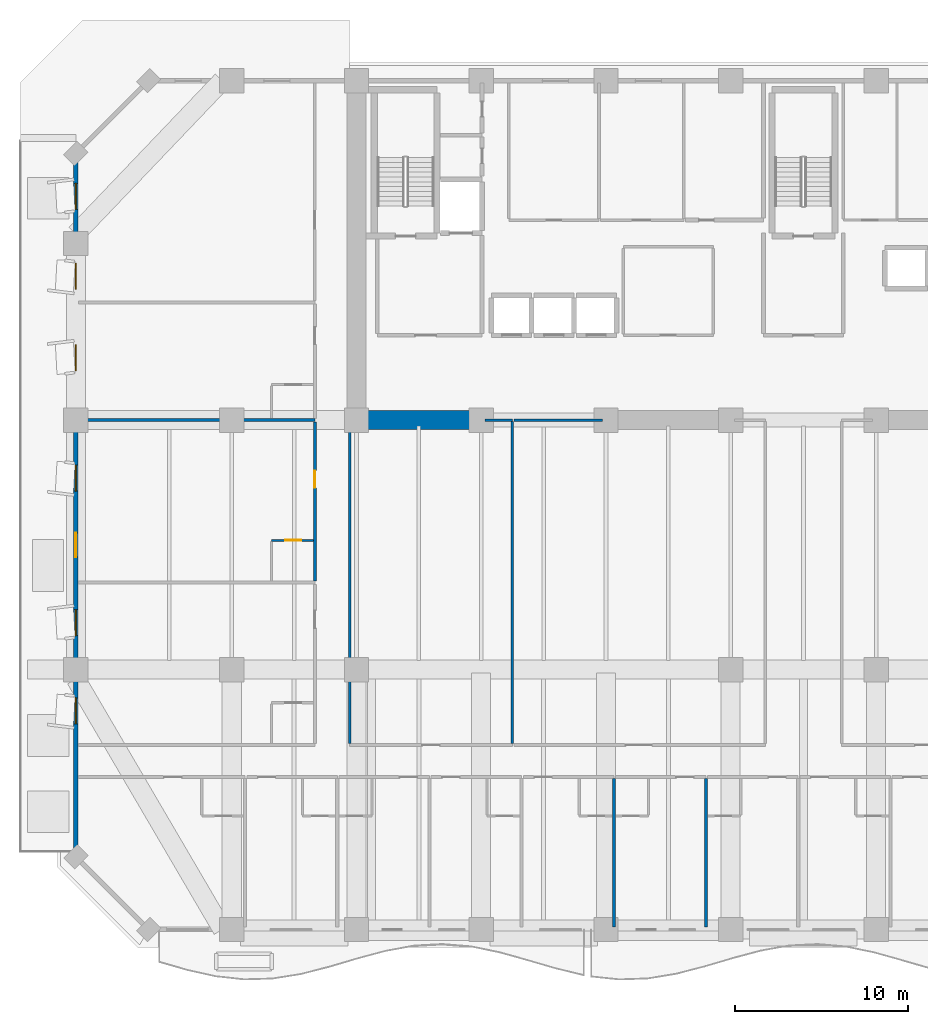
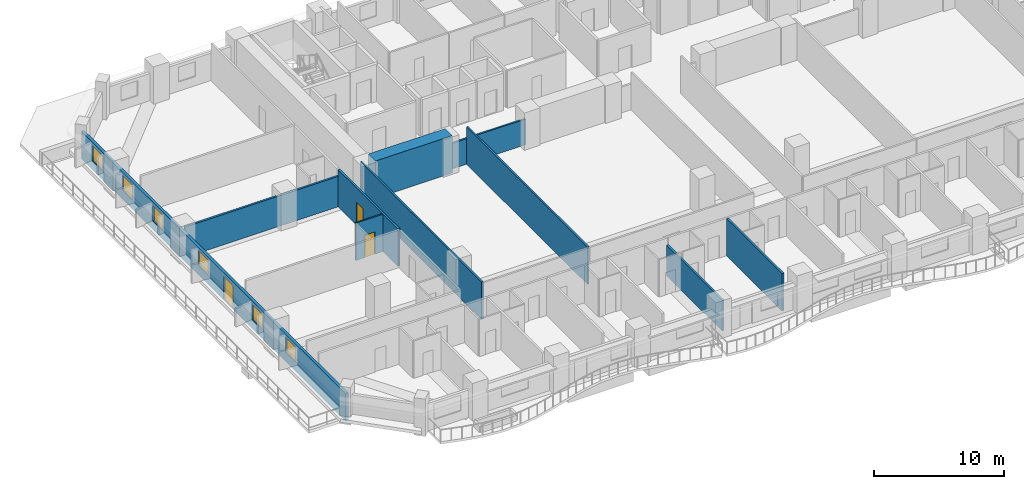
# One storey, part 6 of 17: 11 walls, 6 windows, 3 doors, 9 openings.
"""IFC4 building model written with IfcOpenShell, lengths in metres."""

from ifc_helpers import new_model, si_unit, direction, frame, frame_2d, origin, place, context, subcontext, project, spatial, rectangle, extrude, material, layer, layer_set, type_object, element, fill, save


model = new_model("IFC4")

# Units and contexts
model_context = context("Model", 3, precision=1e-05, world=origin(), true_north=direction((0.0, 1.0)))
body_context = subcontext(model_context, "Body", "Model", "MODEL_VIEW")
ifc_project = project(units=[si_unit("LENGTHUNIT", "METRE"), si_unit("AREAUNIT", "SQUARE_METRE"), si_unit("VOLUMEUNIT", "CUBIC_METRE"), si_unit("PLANEANGLEUNIT", "RADIAN"), si_unit("MASSUNIT", "GRAM", prefix="KILO")], contexts=[model_context])

# Site, building, storey
site_placement = place(None, origin())
site = spatial("IfcSite", under=ifc_project, at=site_placement, CompositionType="ELEMENT")
building_placement = place(site_placement, origin())
building = spatial("IfcBuilding", under=site, at=building_placement, Name="Kaelvorn Grand Hotel", CompositionType="ELEMENT")
storey_placement = place(building_placement, frame((0.0, 0.0, 31.39990234375)))
storey = spatial("IfcBuildingStorey", under=building, at=storey_placement, Name="L05", CompositionType="ELEMENT", Elevation=31.39990234375)

# Wall
ifc_material_1 = material(Name="Concrete C80/95", Category="concrete")
ifc_layer_1 = layer(ifc_material_1, 1.10009765625)
ifc_layer_set_1 = layer_set([ifc_layer_1], Name="Concrete C80/95")
wall_type_1 = type_object("IfcWallType", Name="WL-CORE-1100-C80", PredefinedType="SHEAR", material=ifc_layer_set_1)
wall_1_placement = place(storey_placement, frame((16.7548828125, 29.39990234375, 0.0), z_axis=(0.0, 0.0, 1.0), x_axis=(1.0, 0.0, 0.0)))
element("IfcWall", 1, at=wall_1_placement, inside=storey, type_object=wall_type_1, Name="L05 Rear-Core Coupled Shear Pier S1", PredefinedType="SHEAR", context=body_context, shape_type="SweptSolid", body=[
    extrude(rectangle(XDim=6.84521484375, YDim=1.10009765625, at=frame_2d((3.422607421875, 0.0))), origin(), (0.0, 0.0, 1.0), 3.510009765625),
])

# Wall, openings, door, windows
ifc_material_2 = material(Name="Concrete C40/50", Category="concrete")
ifc_layer_2 = layer(ifc_material_2, 0.260009765625)
ifc_layer_set_2 = layer_set([ifc_layer_2], Name="Concrete C40/50")
wall_type_2 = type_object("IfcWallType", Name="WL-EXT-260-C40", PredefinedType="SOLIDWALL", material=ifc_layer_set_2)
wall_2_placement = place(storey_placement, frame((0.0, 44.800048828125, 0.0), z_axis=(0.0, 0.0, 1.0), x_axis=(0.0, -1.0, 0.0)))
wall_2 = element("IfcWall", 2, at=wall_2_placement, inside=storey, type_object=wall_type_2, Name="L05 Exterior Architectural Concrete Wall 07", PredefinedType="SOLIDWALL", context=body_context, shape_type="SweptSolid", body=[
    extrude(rectangle(XDim=40.60009765625, YDim=0.260009765625, at=frame_2d((20.300048828125, 0.0))), origin(), (0.0, 0.0, 1.0), 2.56005859375),
])
opening_1_placement = place(wall_2_placement, frame((21.89990234375, 0.0, 0.0)))
opening_1 = element("IfcOpeningElement", 3, at=opening_1_placement, cuts=wall_2, Name="Opening DE3", PredefinedType="OPENING", context=body_context, shape_type="SweptSolid", body=[
    extrude(rectangle(XDim=1.39990234375, YDim=2.199951171875, at=frame_2d((0.699951171875, 1.10009765625))), frame((0.0, 0.14013671875, 0.0), z_axis=(0.0, -1.0, 0.0), x_axis=(1.0, 0.0, 0.0)), (0.0, 0.0, 1.0), 0.280029296875),
])
opening_2_placement = place(wall_2_placement, frame((31.425048828125, 0.0, 0.85009765625)))
opening_2 = element("IfcOpeningElement", 4, at=opening_2_placement, cuts=wall_2, Name="Opening W10", PredefinedType="OPENING", context=body_context, shape_type="SweptSolid", body=[
    extrude(rectangle(XDim=1.5, YDim=1.39990234375, at=frame_2d((0.75, 0.699951171875))), frame((0.0, 0.14013671875, 0.0), z_axis=(0.0, -1.0, 0.0), x_axis=(1.0, 0.0, 0.0)), (0.0, 0.0, 1.0), 0.280029296875),
])
opening_3_placement = place(wall_2_placement, frame((26.340087890625, 0.0, 0.85009765625)))
opening_3 = element("IfcOpeningElement", 5, at=opening_3_placement, cuts=wall_2, Name="Opening W10", PredefinedType="OPENING", context=body_context, shape_type="SweptSolid", body=[
    extrude(rectangle(XDim=1.5, YDim=1.39990234375, at=frame_2d((0.75, 0.699951171875))), frame((0.0, 0.14013671875, 0.0), z_axis=(0.0, -1.0, 0.0), x_axis=(1.0, 0.0, 0.0)), (0.0, 0.0, 1.0), 0.280029296875),
])
opening_4_placement = place(wall_2_placement, frame((17.989990234375, 0.0, 0.85009765625)))
opening_4 = element("IfcOpeningElement", 6, at=opening_4_placement, cuts=wall_2, Name="Opening W10", PredefinedType="OPENING", context=body_context, shape_type="SweptSolid", body=[
    extrude(rectangle(XDim=1.5, YDim=1.39990234375, at=frame_2d((0.75, 0.699951171875))), frame((0.0, 0.14013671875, 0.0), z_axis=(0.0, -1.0, 0.0), x_axis=(1.0, 0.0, 0.0)), (0.0, 0.0, 1.0), 0.280029296875),
])
opening_5_placement = place(wall_2_placement, frame((11.050048828125, 0.0, 0.85009765625)))
opening_5 = element("IfcOpeningElement", 7, at=opening_5_placement, cuts=wall_2, Name="Opening W10", PredefinedType="OPENING", context=body_context, shape_type="SweptSolid", body=[
    extrude(rectangle(XDim=1.5, YDim=1.39990234375, at=frame_2d((0.75, 0.699951171875))), frame((0.0, 0.14013671875, 0.0), z_axis=(0.0, -1.0, 0.0), x_axis=(1.0, 0.0, 0.0)), (0.0, 0.0, 1.0), 0.280029296875),
])
opening_6_placement = place(wall_2_placement, frame((6.35009765625, 0.0, 0.85009765625)))
opening_6 = element("IfcOpeningElement", 8, at=opening_6_placement, cuts=wall_2, Name="Opening W10", PredefinedType="OPENING", context=body_context, shape_type="SweptSolid", body=[
    extrude(rectangle(XDim=1.5, YDim=1.39990234375, at=frame_2d((0.75, 0.699951171875))), frame((0.0, 0.14013671875, 0.0), z_axis=(0.0, -1.0, 0.0), x_axis=(1.0, 0.0, 0.0)), (0.0, 0.0, 1.0), 0.280029296875),
])
opening_7_placement = place(wall_2_placement, frame((1.735107421875, 0.0, 0.85009765625)))
opening_7 = element("IfcOpeningElement", 9, at=opening_7_placement, cuts=wall_2, Name="Opening W10", PredefinedType="OPENING", context=body_context, shape_type="SweptSolid", body=[
    extrude(rectangle(XDim=1.5, YDim=1.39990234375, at=frame_2d((0.75, 0.699951171875))), frame((0.0, 0.14013671875, 0.0), z_axis=(0.0, -1.0, 0.0), x_axis=(1.0, 0.0, 0.0)), (0.0, 0.0, 1.0), 0.280029296875),
])
ifc_material_3 = material(Name="Anodised Aluminium", Category="aluminium")
door_type_1 = type_object("IfcDoorType", Name="DR-EXT-TERR-1400x2200", OperationType="NOTDEFINED", PredefinedType="DOOR", material=ifc_material_3)
door_1_placement = place(opening_1_placement, origin())
door_1 = element("IfcDoor", 10, at=door_1_placement, inside=storey, type_object=door_type_1, Name="L05 West Setback Terrace Step-Free Door DE3-W", OperationType="SINGLE_SWING_LEFT", OverallHeight=2.199951171875, OverallWidth=1.39990234375, PredefinedType="DOOR", context=body_context, shape_type="SweptSolid", body=[
    extrude(rectangle(XDim=1.39990234375, YDim=2.199951171875, at=frame_2d((0.699951171875, 1.10009765625))), frame((0.0, 0.02490234375, 0.0), z_axis=(0.0, -1.0, 0.0), x_axis=(1.0, 0.0, 0.0)), (0.0, 0.0, 1.0), 0.050048828125),
])
fill(opening_1, door_1)
ifc_material_4 = material(Name="Laminated Low-E Glass", Category="glass")
window_type = type_object("IfcWindowType", Name="WIN-COR-1500x1400", PartitioningType="SINGLE_PANEL", PredefinedType="WINDOW", material=ifc_material_4)
window_1_placement = place(opening_2_placement, origin())
window_1 = element("IfcWindow", 11, at=window_1_placement, inside=storey, type_object=window_type, Name="L05 W Wing Tilted-Frame Ribbon Window W01", OverallHeight=1.39990234375, OverallWidth=1.5, PartitioningType="SINGLE_PANEL", PredefinedType="WINDOW", context=body_context, shape_type="SweptSolid", body=[
    extrude(rectangle(XDim=1.5, YDim=1.39990234375, at=frame_2d((0.75, 0.699951171875))), frame((0.0, 0.030029296875, 0.0), z_axis=(0.0, -1.0, 0.0), x_axis=(1.0, 0.0, 0.0)), (0.0, 0.0, 1.0), 0.06005859375),
])
fill(opening_2, window_1)
window_2_placement = place(opening_3_placement, origin())
window_2 = element("IfcWindow", 12, at=window_2_placement, inside=storey, type_object=window_type, Name="L05 W Wing Tilted-Frame Ribbon Window W02", OverallHeight=1.39990234375, OverallWidth=1.5, PartitioningType="SINGLE_PANEL", PredefinedType="WINDOW", context=body_context, shape_type="SweptSolid", body=[
    extrude(rectangle(XDim=1.5, YDim=1.39990234375, at=frame_2d((0.75, 0.699951171875))), frame((0.0, 0.030029296875, 0.0), z_axis=(0.0, -1.0, 0.0), x_axis=(1.0, 0.0, 0.0)), (0.0, 0.0, 1.0), 0.06005859375),
])
fill(opening_3, window_2)
window_3_placement = place(opening_4_placement, origin())
window_3 = element("IfcWindow", 13, at=window_3_placement, inside=storey, type_object=window_type, Name="L05 W Wing Tilted-Frame Ribbon Window W03", OverallHeight=1.39990234375, OverallWidth=1.5, PartitioningType="SINGLE_PANEL", PredefinedType="WINDOW", context=body_context, shape_type="SweptSolid", body=[
    extrude(rectangle(XDim=1.5, YDim=1.39990234375, at=frame_2d((0.75, 0.699951171875))), frame((0.0, 0.030029296875, 0.0), z_axis=(0.0, -1.0, 0.0), x_axis=(1.0, 0.0, 0.0)), (0.0, 0.0, 1.0), 0.06005859375),
])
fill(opening_4, window_3)
window_4_placement = place(opening_5_placement, origin())
window_4 = element("IfcWindow", 14, at=window_4_placement, inside=storey, type_object=window_type, Name="L05 W Wing Tilted-Frame Ribbon Window W04", OverallHeight=1.39990234375, OverallWidth=1.5, PartitioningType="SINGLE_PANEL", PredefinedType="WINDOW", context=body_context, shape_type="SweptSolid", body=[
    extrude(rectangle(XDim=1.5, YDim=1.39990234375, at=frame_2d((0.75, 0.699951171875))), frame((0.0, 0.030029296875, 0.0), z_axis=(0.0, -1.0, 0.0), x_axis=(1.0, 0.0, 0.0)), (0.0, 0.0, 1.0), 0.06005859375),
])
fill(opening_5, window_4)
window_5_placement = place(opening_6_placement, origin())
window_5 = element("IfcWindow", 15, at=window_5_placement, inside=storey, type_object=window_type, Name="L05 W Wing Tilted-Frame Ribbon Window W05", OverallHeight=1.39990234375, OverallWidth=1.5, PartitioningType="SINGLE_PANEL", PredefinedType="WINDOW", context=body_context, shape_type="SweptSolid", body=[
    extrude(rectangle(XDim=1.5, YDim=1.39990234375, at=frame_2d((0.75, 0.699951171875))), frame((0.0, 0.030029296875, 0.0), z_axis=(0.0, -1.0, 0.0), x_axis=(1.0, 0.0, 0.0)), (0.0, 0.0, 1.0), 0.06005859375),
])
fill(opening_6, window_5)
window_6_placement = place(opening_7_placement, origin())
window_6 = element("IfcWindow", 16, at=window_6_placement, inside=storey, type_object=window_type, Name="L05 W Wing Tilted-Frame Ribbon Window W06", OverallHeight=1.39990234375, OverallWidth=1.5, PartitioningType="SINGLE_PANEL", PredefinedType="WINDOW", context=body_context, shape_type="SweptSolid", body=[
    extrude(rectangle(XDim=1.5, YDim=1.39990234375, at=frame_2d((0.75, 0.699951171875))), frame((0.0, 0.030029296875, 0.0), z_axis=(0.0, -1.0, 0.0), x_axis=(1.0, 0.0, 0.0)), (0.0, 0.0, 1.0), 0.06005859375),
])
fill(opening_7, window_6)

# Wall, opening, door
ifc_material_5 = material(Name="Moisture-Resistant Tile & Stud Board")
ifc_layer_3 = layer(ifc_material_5, 0.125)
ifc_layer_set_3 = layer_set([ifc_layer_3], Name="Moisture-Resistant Tile & Stud Board")
wall_type_3 = type_object("IfcWallType", Name="WL-PART-125-WET", PredefinedType="PARTITIONING", material=ifc_layer_set_3)
wall_3_placement = place(storey_placement, frame((11.300048828125, 22.4599609375, 0.0), z_axis=(0.0, 0.0, 1.0), x_axis=(1.0, 0.0, 0.0)))
wall_3 = element("IfcWall", 17, at=wall_3_placement, inside=storey, type_object=wall_type_3, Name="L05 En-suite Bathroom L05-15 N Partition", PredefinedType="PARTITIONING", context=body_context, shape_type="SweptSolid", body=[
    extrude(rectangle(XDim=2.405029296875, YDim=0.125, at=frame_2d((1.20263671875, 0.0))), origin(), (0.0, 0.0, 1.0), 3.510009765625),
])
opening_8_placement = place(wall_3_placement, frame((0.800048828125, 0.0, 0.0)))
opening_8 = element("IfcOpeningElement", 18, at=opening_8_placement, cuts=wall_3, Name="Opening DI4", PredefinedType="OPENING", context=body_context, shape_type="SweptSolid", body=[
    extrude(rectangle(XDim=0.89990234375, YDim=2.10009765625, at=frame_2d((0.449951171875, 1.050048828125))), frame((0.0, 0.072509765625, 0.0), z_axis=(0.0, -1.0, 0.0), x_axis=(1.0, 0.0, 0.0)), (0.0, 0.0, 1.0), 0.14501953125),
])
ifc_material_6 = material(Name="Timber Veneer Leaf", Category="wood")
door_type_2 = type_object("IfcDoorType", Name="DR-INT-BATH-900x2100", OperationType="NOTDEFINED", PredefinedType="DOOR", material=ifc_material_6)
door_2_placement = place(opening_8_placement, origin())
door_2 = element("IfcDoor", 19, at=door_2_placement, inside=storey, type_object=door_type_2, Name="L05 En-suite Bathroom L05-15 Door", OperationType="SINGLE_SWING_LEFT", OverallHeight=2.10009765625, OverallWidth=0.89990234375, PredefinedType="DOOR", context=body_context, shape_type="SweptSolid", body=[
    extrude(rectangle(XDim=0.89990234375, YDim=2.10009765625, at=frame_2d((0.449951171875, 1.050048828125))), frame((0.0, 0.02490234375, 0.0), z_axis=(0.0, -1.0, 0.0), x_axis=(1.0, 0.0, 0.0)), (0.0, 0.0, 1.0), 0.050048828125),
])
fill(opening_8, door_2)

# Walls
ifc_material_7 = material(Name="Acoustic Gypsum & Stud Partition")
ifc_layer_4 = layer(ifc_material_7, 0.14990234375)
ifc_layer_set_4 = layer_set([ifc_layer_4], Name="Acoustic Gypsum & Stud Partition")
wall_type_4 = type_object("IfcWallType", Name="WL-PART-150-EI60", PredefinedType="PARTITIONING", material=ifc_layer_set_4)
wall_4_placement = place(storey_placement, frame((23.610107421875, 29.39990234375, 0.0), z_axis=(0.0, 0.0, 1.0), x_axis=(1.0, 0.0, 0.0)))
element("IfcWall", 20, at=wall_4_placement, inside=storey, type_object=wall_type_4, Name="L05 Executive Meeting Boardroom N Partition", PredefinedType="PARTITIONING", context=body_context, shape_type="SweptSolid", body=[
    extrude(rectangle(XDim=1.58984375, YDim=0.14990234375, at=frame_2d((0.794921875, 0.0))), origin(), (0.0, 0.0, 1.0), 2.41015625),
])
wall_5_placement = place(storey_placement, frame((15.800048828125, 10.72998046875, 0.0), z_axis=(0.0, 0.0, 1.0), x_axis=(0.0, 1.0, 0.0)))
element("IfcWall", 21, at=wall_5_placement, inside=storey, type_object=wall_type_4, Name="L05 Executive Meeting Boardroom W Partition", PredefinedType="PARTITIONING", context=body_context, shape_type="SweptSolid", body=[
    extrude(rectangle(XDim=18.659912109375, YDim=0.14990234375, at=frame_2d((9.330078125, 0.0))), origin(), (0.0, 0.0, 1.0), 3.510009765625),
])
wall_6_placement = place(storey_placement, frame((25.199951171875, 10.72998046875, 0.0), z_axis=(0.0, 0.0, 1.0), x_axis=(0.0, 1.0, 0.0)))
element("IfcWall", 22, at=wall_6_placement, inside=storey, type_object=wall_type_4, Name="L05 Executive Meeting Boardroom E Partition", PredefinedType="PARTITIONING", context=body_context, shape_type="SweptSolid", body=[
    extrude(rectangle(XDim=18.590087890625, YDim=0.14990234375, at=frame_2d((9.294921875, 0.0))), origin(), (0.0, 0.0, 1.0), 3.510009765625),
])
wall_7_placement = place(storey_placement, frame((25.280029296875, 29.39990234375, 0.0), z_axis=(0.0, 0.0, 1.0), x_axis=(1.0, 0.0, 0.0)))
element("IfcWall", 23, at=wall_7_placement, inside=storey, type_object=wall_type_4, Name="L05 Guest Butler Kitchen N Partition (1)", PredefinedType="PARTITIONING", context=body_context, shape_type="SweptSolid", body=[
    extrude(rectangle(XDim=5.10986328125, YDim=0.14990234375, at=frame_2d((2.554931640625, 0.0))), origin(), (0.0, 0.0, 1.0), 2.41015625),
])
ifc_layer_5 = layer(ifc_material_7, 0.179931640625)
ifc_layer_set_5 = layer_set([ifc_layer_5], Name="Acoustic Gypsum & Stud Partition")
wall_type_5 = type_object("IfcWallType", Name="WL-PART-180-EI60", PredefinedType="PARTITIONING", material=ifc_layer_set_5)
wall_8_placement = place(storey_placement, frame((31.056396484375, 0.14990234375, 0.0), z_axis=(0.0, 0.0, 1.0), x_axis=(0.0, 1.0, 0.0)))
element("IfcWall", 24, at=wall_8_placement, inside=storey, type_object=wall_type_5, Name="L05 Deluxe King Guest Room L05-05 E Partition", PredefinedType="PARTITIONING", context=body_context, shape_type="SweptSolid", body=[
    extrude(rectangle(XDim=8.55517578125, YDim=0.179931640625, at=frame_2d((4.277587890625, 0.0))), origin(), (0.0, 0.0, 1.0), 2.880126953125),
])
wall_9_placement = place(storey_placement, frame((36.37744140625, 0.14990234375, 0.0), z_axis=(0.0, 0.0, 1.0), x_axis=(0.0, 1.0, 0.0)))
element("IfcWall", 25, at=wall_9_placement, inside=storey, type_object=wall_type_5, Name="L05 Deluxe King Guest Room L05-06 E Partition", PredefinedType="PARTITIONING", context=body_context, shape_type="SweptSolid", body=[
    extrude(rectangle(XDim=8.55517578125, YDim=0.179931640625, at=frame_2d((4.277587890625, 0.0))), origin(), (0.0, 0.0, 1.0), 3.510009765625),
])
wall_10_placement = place(storey_placement, frame((0.14990234375, 29.39990234375, 0.0), z_axis=(0.0, 0.0, 1.0), x_axis=(1.0, 0.0, 0.0)))
element("IfcWall", 26, at=wall_10_placement, inside=storey, type_object=wall_type_5, Name="L05 West Mid-Wing Suite L05-15 N Partition", PredefinedType="PARTITIONING", context=body_context, shape_type="SweptSolid", body=[
    extrude(rectangle(XDim=13.650146484375, YDim=0.179931640625, at=frame_2d((6.8251953125, 0.0))), origin(), (0.0, 0.0, 1.0), 2.860107421875),
])

# Wall, opening, door
wall_11_placement = place(storey_placement, frame((13.800048828125, 20.114990234375, 0.0), z_axis=(0.0, 0.0, 1.0), x_axis=(0.0, 1.0, 0.0)))
wall_11 = element("IfcWall", 27, at=wall_11_placement, inside=storey, type_object=wall_type_5, Name="L05 West Mid-Wing Suite L05-15 E Partition", PredefinedType="PARTITIONING", context=body_context, shape_type="SweptSolid", body=[
    extrude(rectangle(XDim=9.18994140625, YDim=0.179931640625, at=frame_2d((4.594970703125, 0.0))), origin(), (0.0, 0.0, 1.0), 3.510009765625),
])
opening_9_placement = place(wall_11_placement, frame((5.375, 0.0, 0.0)))
opening_9 = element("IfcOpeningElement", 28, at=opening_9_placement, cuts=wall_11, Name="Opening DI3", PredefinedType="OPENING", context=body_context, shape_type="SweptSolid", body=[
    extrude(rectangle(XDim=1.0, YDim=2.14990234375, at=frame_2d((0.5, 1.074951171875))), frame((0.0, 0.10009765625, 0.0), z_axis=(0.0, -1.0, 0.0), x_axis=(1.0, 0.0, 0.0)), (0.0, 0.0, 1.0), 0.199951171875),
])
ifc_material_8 = material(Name="Timber Veneer Fire Leaf", Category="wood")
door_type_3 = type_object("IfcDoorType", Name="DR-INT-GUEST-1000x2150", OperationType="NOTDEFINED", PredefinedType="DOOR", material=ifc_material_8)
door_3_placement = place(opening_9_placement, origin())
door_3 = element("IfcDoor", 29, at=door_3_placement, inside=storey, type_object=door_type_3, Name="L05 West Mid-Wing Suite L05-15 Door", OperationType="SINGLE_SWING_RIGHT", OverallHeight=2.14990234375, OverallWidth=1.0, PredefinedType="DOOR", context=body_context, shape_type="SweptSolid", body=[
    extrude(rectangle(XDim=1.0, YDim=2.14990234375, at=frame_2d((0.5, 1.074951171875))), frame((0.0, 0.02490234375, 0.0), z_axis=(0.0, -1.0, 0.0), x_axis=(1.0, 0.0, 0.0)), (0.0, 0.0, 1.0), 0.050048828125),
])
fill(opening_9, door_3)

save(model, "model.ifc")
